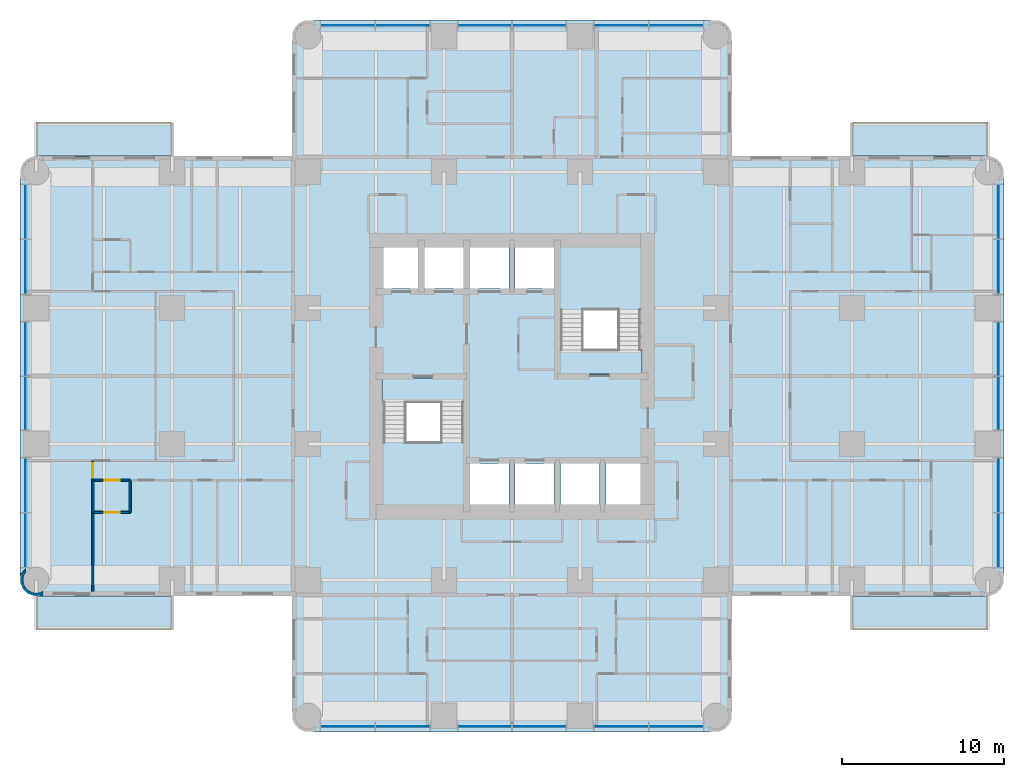
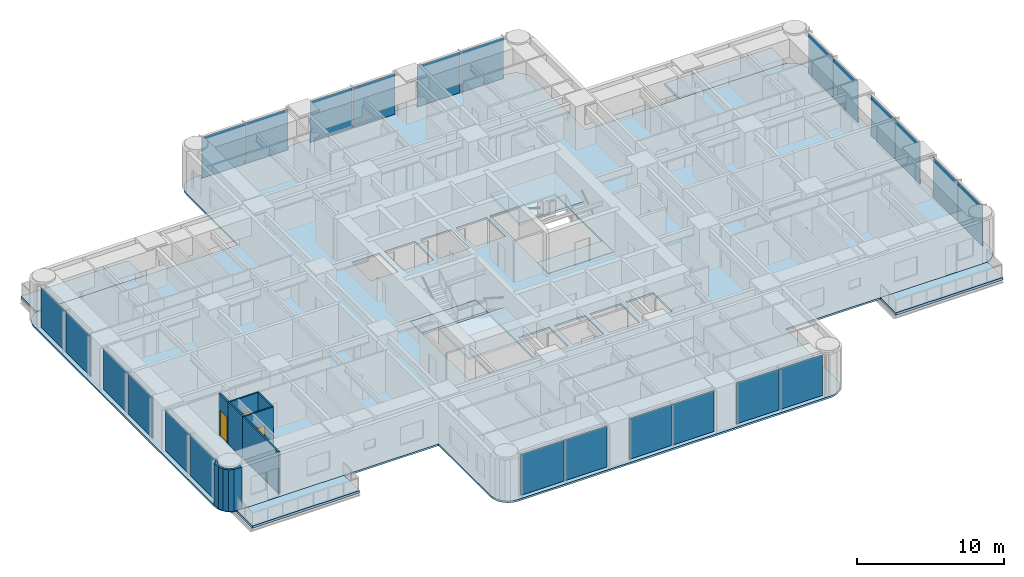
# One storey, part 5 of 15: 24 plates, 9 slabs, 7 walls, 3 doors, 3 openings, 6 elements without a shape of their own.
"""IFC4 building model written with IfcOpenShell, lengths in metres."""

from ifc_helpers import new_model, si_unit, direction, frame, frame_2d, origin, origin_2d, place, context, subcontext, project, spatial, polyline, rectangle, outline, extrude, material, layer, layer_set, type_object, element, fill, aggregate, save


model = new_model("IFC4")

# Units and contexts
model_context = context("Model", 3, precision=1e-05, world=origin(), true_north=direction((0.0, 1.0)))
body_context = subcontext(model_context, "Body", "Model", "MODEL_VIEW")
ifc_project = project(units=[si_unit("LENGTHUNIT", "METRE"), si_unit("AREAUNIT", "SQUARE_METRE"), si_unit("VOLUMEUNIT", "CUBIC_METRE"), si_unit("PLANEANGLEUNIT", "RADIAN"), si_unit("MASSUNIT", "GRAM", prefix="KILO")], contexts=[model_context])

# Site, building, storey
site_placement = place(None, origin())
site = spatial("IfcSite", under=ifc_project, at=site_placement, CompositionType="ELEMENT")
building_placement = place(site_placement, origin())
building = spatial("IfcBuilding", under=site, at=building_placement, Name="Torre Alcanfor", CompositionType="ELEMENT")
storey_placement = place(building_placement, frame((0.0, 0.0, 144.89990234375)))
storey = spatial("IfcBuildingStorey", under=building, at=storey_placement, Name="L37", CompositionType="ELEMENT", Elevation=144.89990234375)

# Slabs
ifc_material_1 = material(Name="Concrete f'c 35 MPa", Category="concrete")
ifc_layer_1 = layer(ifc_material_1, 0.199951171875)
ifc_layer_set_1 = layer_set([ifc_layer_1], Name="Balcony slab 200")
slab_type_1 = type_object("IfcSlabType", Name="Balcony slab 200", PredefinedType="FLOOR", material=ifc_layer_set_1)
slab_1_placement = place(storey_placement, frame((0.0, 0.0, -0.199951171875)))
element("IfcSlab", 1, at=slab_1_placement, inside=storey, type_object=slab_type_1, Name="Balcony L37-E1", PredefinedType="FLOOR", context=body_context, shape_type="SweptSolid", body=[
    extrude(outline(polyline([(50.39990234375, 43.0), (58.800048828125, 43.0), (58.800048828125, 45.10009765625), (50.39990234375, 45.10009765625), (50.39990234375, 43.0)])), origin(), (0.0, 0.0, 1.0), 0.199951171875),
])
slab_2_placement = place(storey_placement, frame((0.0, 0.0, -0.199951171875)))
element("IfcSlab", 2, at=slab_2_placement, inside=storey, type_object=slab_type_1, Name="Balcony L37-E2", PredefinedType="FLOOR", context=body_context, shape_type="SweptSolid", body=[
    extrude(outline(polyline([(50.39990234375, 13.699951171875), (58.800048828125, 13.699951171875), (58.800048828125, 15.800048828125), (50.39990234375, 15.800048828125), (50.39990234375, 13.699951171875)])), origin(), (0.0, 0.0, 1.0), 0.199951171875),
])
slab_3_placement = place(storey_placement, frame((0.0, 0.0, -0.199951171875)))
element("IfcSlab", 3, at=slab_3_placement, inside=storey, type_object=slab_type_1, Name="Balcony L37-W1", PredefinedType="FLOOR", context=body_context, shape_type="SweptSolid", body=[
    extrude(outline(polyline([(8.39990234375, 15.800048828125), (0.0, 15.800048828125), (0.0, 13.699951171875), (8.39990234375, 13.699951171875), (8.39990234375, 15.800048828125)])), origin(), (0.0, 0.0, 1.0), 0.199951171875),
])
slab_4_placement = place(storey_placement, frame((0.0, 0.0, -0.199951171875)))
element("IfcSlab", 4, at=slab_4_placement, inside=storey, type_object=slab_type_1, Name="Balcony L37-W2", PredefinedType="FLOOR", context=body_context, shape_type="SweptSolid", body=[
    extrude(outline(polyline([(8.39990234375, 45.10009765625), (0.0, 45.10009765625), (0.0, 43.0), (8.39990234375, 43.0), (8.39990234375, 45.10009765625)])), origin(), (0.0, 0.0, 1.0), 0.199951171875),
])

# Curtain wall, plates
ifc_material_2 = material(Name="Aluminium and glass", Category="aluminium")
curtain_wall_type = type_object("IfcCurtainWallType", Name="CW-A unitised apartment glazing with vertical FIN", PredefinedType="NOTDEFINED", material=ifc_material_2)
curtain_wall_1_placement = place(storey_placement, origin())
curtain_wall_1 = element("IfcCurtainWall", 5, at=curtain_wall_1_placement, inside=storey, type_object=curtain_wall_type, Name="Curtain wall CW-A L37 2", PredefinedType="NOTDEFINED")
ifc_material_3 = material(Name="Glass", Category="glass")
ifc_layer_2 = layer(ifc_material_3, 0.028076171875)
ifc_layer_set_2 = layer_set([ifc_layer_2], Name="CW-A clear double glazed unit")
plate_type = type_object("IfcPlateType", Name="CW-A clear double glazed unit", PredefinedType="CURTAIN_PANEL", material=ifc_layer_set_2)
plate_1_placement = place(storey_placement, frame((-0.64990234375, 39.541259765625, 0.0), z_axis=(0.0, 0.0, 1.0), x_axis=(0.0, -1.0, 0.0)))
plate_1 = element("IfcPlate", 6, at=plate_1_placement, type_object=plate_type, Name="CW-A panel 1.1.1", PredefinedType="CURTAIN_PANEL", context=body_context, shape_type="SweptSolid", body=[
    extrude(rectangle(XDim=3.337646484375, YDim=0.028076171875, at=origin_2d()), origin(), (0.0, 0.0, 1.0), 3.385009765625),
])
plate_2_placement = place(storey_placement, frame((-0.64990234375, 36.138671875, 0.0), z_axis=(0.0, 0.0, 1.0), x_axis=(0.0, -1.0, 0.0)))
plate_2 = element("IfcPlate", 7, at=plate_2_placement, type_object=plate_type, Name="CW-A panel 1.2.1", PredefinedType="CURTAIN_PANEL", context=body_context, shape_type="SweptSolid", body=[
    extrude(rectangle(XDim=3.337646484375, YDim=0.028076171875, at=origin_2d()), origin(), (0.0, 0.0, 1.0), 3.385009765625),
])
plate_3_placement = place(storey_placement, frame((-0.64990234375, 31.081298828125, 0.0), z_axis=(0.0, 0.0, 1.0), x_axis=(0.0, -1.0, 0.0)))
plate_3 = element("IfcPlate", 8, at=plate_3_placement, type_object=plate_type, Name="CW-A panel 2.1.1", PredefinedType="CURTAIN_PANEL", context=body_context, shape_type="SweptSolid", body=[
    extrude(rectangle(XDim=3.297607421875, YDim=0.028076171875, at=origin_2d()), origin(), (0.0, 0.0, 1.0), 3.385009765625),
])
plate_4_placement = place(storey_placement, frame((-0.64990234375, 27.71875, 0.0), z_axis=(0.0, 0.0, 1.0), x_axis=(0.0, -1.0, 0.0)))
plate_4 = element("IfcPlate", 9, at=plate_4_placement, type_object=plate_type, Name="CW-A panel 2.2.1", PredefinedType="CURTAIN_PANEL", context=body_context, shape_type="SweptSolid", body=[
    extrude(rectangle(XDim=3.297607421875, YDim=0.028076171875, at=origin_2d()), origin(), (0.0, 0.0, 1.0), 3.385009765625),
])
plate_5_placement = place(storey_placement, frame((-0.64990234375, 22.6611328125, 0.0), z_axis=(0.0, 0.0, 1.0), x_axis=(0.0, -1.0, 0.0)))
plate_5 = element("IfcPlate", 10, at=plate_5_placement, type_object=plate_type, Name="CW-A panel 3.1.1", PredefinedType="CURTAIN_PANEL", context=body_context, shape_type="SweptSolid", body=[
    extrude(rectangle(XDim=3.337646484375, YDim=0.028076171875, at=origin_2d()), origin(), (0.0, 0.0, 1.0), 3.385009765625),
])
plate_6_placement = place(storey_placement, frame((-0.64990234375, 19.2587890625, 0.0), z_axis=(0.0, 0.0, 1.0), x_axis=(0.0, -1.0, 0.0)))
plate_6 = element("IfcPlate", 11, at=plate_6_placement, type_object=plate_type, Name="CW-A panel 3.2.1", PredefinedType="CURTAIN_PANEL", context=body_context, shape_type="SweptSolid", body=[
    extrude(rectangle(XDim=3.337646484375, YDim=0.028076171875, at=origin_2d()), origin(), (0.0, 0.0, 1.0), 3.385009765625),
])
aggregate(curtain_wall_1, [plate_1, plate_2, plate_3, plate_4, plate_5, plate_6])

curtain_wall_2_placement = place(storey_placement, origin())
curtain_wall_2 = element("IfcCurtainWall", 12, at=curtain_wall_2_placement, inside=storey, type_object=curtain_wall_type, Name="Curtain wall CW-A L37 5", PredefinedType="NOTDEFINED")
plate_7_placement = place(storey_placement, frame((19.2587890625, 7.75, 0.0), z_axis=(0.0, 0.0, 1.0), x_axis=(1.0, 0.0, 0.0)))
plate_7 = element("IfcPlate", 13, at=plate_7_placement, type_object=plate_type, Name="CW-A panel 1.1.1", PredefinedType="CURTAIN_PANEL", context=body_context, shape_type="SweptSolid", body=[
    extrude(rectangle(XDim=3.337646484375, YDim=0.028076171875, at=origin_2d()), origin(), (0.0, 0.0, 1.0), 3.385009765625),
])
plate_8_placement = place(storey_placement, frame((22.6611328125, 7.75, 0.0), z_axis=(0.0, 0.0, 1.0), x_axis=(1.0, 0.0, 0.0)))
plate_8 = element("IfcPlate", 14, at=plate_8_placement, type_object=plate_type, Name="CW-A panel 1.2.1", PredefinedType="CURTAIN_PANEL", context=body_context, shape_type="SweptSolid", body=[
    extrude(rectangle(XDim=3.337646484375, YDim=0.028076171875, at=origin_2d()), origin(), (0.0, 0.0, 1.0), 3.385009765625),
])
plate_9_placement = place(storey_placement, frame((27.71875, 7.75, 0.0), z_axis=(0.0, 0.0, 1.0), x_axis=(1.0, 0.0, 0.0)))
plate_9 = element("IfcPlate", 15, at=plate_9_placement, type_object=plate_type, Name="CW-A panel 2.1.1", PredefinedType="CURTAIN_PANEL", context=body_context, shape_type="SweptSolid", body=[
    extrude(rectangle(XDim=3.297607421875, YDim=0.028076171875, at=origin_2d()), origin(), (0.0, 0.0, 1.0), 3.385009765625),
])
plate_10_placement = place(storey_placement, frame((31.081298828125, 7.75, 0.0), z_axis=(0.0, 0.0, 1.0), x_axis=(1.0, 0.0, 0.0)))
plate_10 = element("IfcPlate", 16, at=plate_10_placement, type_object=plate_type, Name="CW-A panel 2.2.1", PredefinedType="CURTAIN_PANEL", context=body_context, shape_type="SweptSolid", body=[
    extrude(rectangle(XDim=3.297607421875, YDim=0.028076171875, at=origin_2d()), origin(), (0.0, 0.0, 1.0), 3.385009765625),
])
plate_11_placement = place(storey_placement, frame((36.138671875, 7.75, 0.0), z_axis=(0.0, 0.0, 1.0), x_axis=(1.0, 0.0, 0.0)))
plate_11 = element("IfcPlate", 17, at=plate_11_placement, type_object=plate_type, Name="CW-A panel 3.1.1", PredefinedType="CURTAIN_PANEL", context=body_context, shape_type="SweptSolid", body=[
    extrude(rectangle(XDim=3.337646484375, YDim=0.028076171875, at=origin_2d()), origin(), (0.0, 0.0, 1.0), 3.385009765625),
])
plate_12_placement = place(storey_placement, frame((39.541259765625, 7.75, 0.0), z_axis=(0.0, 0.0, 1.0), x_axis=(1.0, 0.0, 0.0)))
plate_12 = element("IfcPlate", 18, at=plate_12_placement, type_object=plate_type, Name="CW-A panel 3.2.1", PredefinedType="CURTAIN_PANEL", context=body_context, shape_type="SweptSolid", body=[
    extrude(rectangle(XDim=3.337646484375, YDim=0.028076171875, at=origin_2d()), origin(), (0.0, 0.0, 1.0), 3.385009765625),
])
aggregate(curtain_wall_2, [plate_7, plate_8, plate_9, plate_10, plate_11, plate_12])

curtain_wall_3_placement = place(storey_placement, origin())
curtain_wall_3 = element("IfcCurtainWall", 19, at=curtain_wall_3_placement, inside=storey, type_object=curtain_wall_type, Name="Curtain wall CW-A L37 8", PredefinedType="NOTDEFINED")
plate_13_placement = place(storey_placement, frame((59.449951171875, 19.2587890625, 0.0), z_axis=(0.0, 0.0, 1.0), x_axis=(0.0, 1.0, 0.0)))
plate_13 = element("IfcPlate", 20, at=plate_13_placement, type_object=plate_type, Name="CW-A panel 1.1.1", PredefinedType="CURTAIN_PANEL", context=body_context, shape_type="SweptSolid", body=[
    extrude(rectangle(XDim=3.337646484375, YDim=0.028076171875, at=origin_2d()), origin(), (0.0, 0.0, 1.0), 3.385009765625),
])
plate_14_placement = place(storey_placement, frame((59.449951171875, 22.6611328125, 0.0), z_axis=(0.0, 0.0, 1.0), x_axis=(0.0, 1.0, 0.0)))
plate_14 = element("IfcPlate", 21, at=plate_14_placement, type_object=plate_type, Name="CW-A panel 1.2.1", PredefinedType="CURTAIN_PANEL", context=body_context, shape_type="SweptSolid", body=[
    extrude(rectangle(XDim=3.337646484375, YDim=0.028076171875, at=origin_2d()), origin(), (0.0, 0.0, 1.0), 3.385009765625),
])
plate_15_placement = place(storey_placement, frame((59.449951171875, 27.71875, 0.0), z_axis=(0.0, 0.0, 1.0), x_axis=(0.0, 1.0, 0.0)))
plate_15 = element("IfcPlate", 22, at=plate_15_placement, type_object=plate_type, Name="CW-A panel 2.1.1", PredefinedType="CURTAIN_PANEL", context=body_context, shape_type="SweptSolid", body=[
    extrude(rectangle(XDim=3.297607421875, YDim=0.028076171875, at=origin_2d()), origin(), (0.0, 0.0, 1.0), 3.385009765625),
])
plate_16_placement = place(storey_placement, frame((59.449951171875, 31.081298828125, 0.0), z_axis=(0.0, 0.0, 1.0), x_axis=(0.0, 1.0, 0.0)))
plate_16 = element("IfcPlate", 23, at=plate_16_placement, type_object=plate_type, Name="CW-A panel 2.2.1", PredefinedType="CURTAIN_PANEL", context=body_context, shape_type="SweptSolid", body=[
    extrude(rectangle(XDim=3.297607421875, YDim=0.028076171875, at=origin_2d()), origin(), (0.0, 0.0, 1.0), 3.385009765625),
])
plate_17_placement = place(storey_placement, frame((59.449951171875, 36.138671875, 0.0), z_axis=(0.0, 0.0, 1.0), x_axis=(0.0, 1.0, 0.0)))
plate_17 = element("IfcPlate", 24, at=plate_17_placement, type_object=plate_type, Name="CW-A panel 3.1.1", PredefinedType="CURTAIN_PANEL", context=body_context, shape_type="SweptSolid", body=[
    extrude(rectangle(XDim=3.337646484375, YDim=0.028076171875, at=origin_2d()), origin(), (0.0, 0.0, 1.0), 3.385009765625),
])
plate_18_placement = place(storey_placement, frame((59.449951171875, 39.541259765625, 0.0), z_axis=(0.0, 0.0, 1.0), x_axis=(0.0, 1.0, 0.0)))
plate_18 = element("IfcPlate", 25, at=plate_18_placement, type_object=plate_type, Name="CW-A panel 3.2.1", PredefinedType="CURTAIN_PANEL", context=body_context, shape_type="SweptSolid", body=[
    extrude(rectangle(XDim=3.337646484375, YDim=0.028076171875, at=origin_2d()), origin(), (0.0, 0.0, 1.0), 3.385009765625),
])
aggregate(curtain_wall_3, [plate_13, plate_14, plate_15, plate_16, plate_17, plate_18])

curtain_wall_4_placement = place(storey_placement, origin())
curtain_wall_4 = element("IfcCurtainWall", 26, at=curtain_wall_4_placement, inside=storey, type_object=curtain_wall_type, Name="Curtain wall CW-A L37 11", PredefinedType="NOTDEFINED")
plate_19_placement = place(storey_placement, frame((39.541259765625, 51.050048828125, 0.0), z_axis=(0.0, 0.0, 1.0), x_axis=(-1.0, 0.0, 0.0)))
plate_19 = element("IfcPlate", 27, at=plate_19_placement, type_object=plate_type, Name="CW-A panel 1.1.1", PredefinedType="CURTAIN_PANEL", context=body_context, shape_type="SweptSolid", body=[
    extrude(rectangle(XDim=3.337646484375, YDim=0.028076171875, at=origin_2d()), origin(), (0.0, 0.0, 1.0), 3.385009765625),
])
plate_20_placement = place(storey_placement, frame((36.138671875, 51.050048828125, 0.0), z_axis=(0.0, 0.0, 1.0), x_axis=(-1.0, 0.0, 0.0)))
plate_20 = element("IfcPlate", 28, at=plate_20_placement, type_object=plate_type, Name="CW-A panel 1.2.1", PredefinedType="CURTAIN_PANEL", context=body_context, shape_type="SweptSolid", body=[
    extrude(rectangle(XDim=3.337646484375, YDim=0.028076171875, at=origin_2d()), origin(), (0.0, 0.0, 1.0), 3.385009765625),
])
plate_21_placement = place(storey_placement, frame((31.081298828125, 51.050048828125, 0.0), z_axis=(0.0, 0.0, 1.0), x_axis=(-1.0, 0.0, 0.0)))
plate_21 = element("IfcPlate", 29, at=plate_21_placement, type_object=plate_type, Name="CW-A panel 2.1.1", PredefinedType="CURTAIN_PANEL", context=body_context, shape_type="SweptSolid", body=[
    extrude(rectangle(XDim=3.297607421875, YDim=0.028076171875, at=origin_2d()), origin(), (0.0, 0.0, 1.0), 3.385009765625),
])
plate_22_placement = place(storey_placement, frame((27.71875, 51.050048828125, 0.0), z_axis=(0.0, 0.0, 1.0), x_axis=(-1.0, 0.0, 0.0)))
plate_22 = element("IfcPlate", 30, at=plate_22_placement, type_object=plate_type, Name="CW-A panel 2.2.1", PredefinedType="CURTAIN_PANEL", context=body_context, shape_type="SweptSolid", body=[
    extrude(rectangle(XDim=3.297607421875, YDim=0.028076171875, at=origin_2d()), origin(), (0.0, 0.0, 1.0), 3.385009765625),
])
plate_23_placement = place(storey_placement, frame((22.6611328125, 51.050048828125, 0.0), z_axis=(0.0, 0.0, 1.0), x_axis=(-1.0, 0.0, 0.0)))
plate_23 = element("IfcPlate", 31, at=plate_23_placement, type_object=plate_type, Name="CW-A panel 3.1.1", PredefinedType="CURTAIN_PANEL", context=body_context, shape_type="SweptSolid", body=[
    extrude(rectangle(XDim=3.337646484375, YDim=0.028076171875, at=origin_2d()), origin(), (0.0, 0.0, 1.0), 3.385009765625),
])
plate_24_placement = place(storey_placement, frame((19.2587890625, 51.050048828125, 0.0), z_axis=(0.0, 0.0, 1.0), x_axis=(-1.0, 0.0, 0.0)))
plate_24 = element("IfcPlate", 32, at=plate_24_placement, type_object=plate_type, Name="CW-A panel 3.2.1", PredefinedType="CURTAIN_PANEL", context=body_context, shape_type="SweptSolid", body=[
    extrude(rectangle(XDim=3.337646484375, YDim=0.028076171875, at=origin_2d()), origin(), (0.0, 0.0, 1.0), 3.385009765625),
])
aggregate(curtain_wall_4, [plate_19, plate_20, plate_21, plate_22, plate_23, plate_24])

# Slab
ifc_material_4 = material(Name="Concrete f'c 35 MPa", Category="concrete")
ifc_layer_3 = layer(ifc_material_4, 0.14990234375)
ifc_layer_set_3 = layer_set([ifc_layer_3], Name="Composite floor 150 on metal deck")
slab_type_2 = type_object("IfcSlabType", Name="Composite floor 150 on metal deck", PredefinedType="FLOOR", material=ifc_layer_set_3)
slab_5_placement = place(storey_placement, frame((0.0, 0.0, -0.14990234375)))
element("IfcSlab", 33, at=slab_5_placement, inside=storey, type_object=slab_type_2, Name="Floor slab L37", PredefinedType="FLOOR", context=body_context, shape_type="SweptSolid", body=[
    extrude(outline(polyline([(15.800048828125, 43.0), (0.39990234375, 43.0), (0.03759765625, 42.952392578125), (-0.300048828125, 42.8125), (-0.58984375, 42.58984375), (-0.8125, 42.300048828125), (-0.952392578125, 41.96240234375), (-1.0, 41.60009765625), (-1.0, 17.199951171875), (-0.952392578125, 16.837646484375), (-0.8125, 16.5), (-0.58984375, 16.210205078125), (-0.300048828125, 15.987548828125), (0.03759765625, 15.84765625), (0.39990234375, 15.800048828125), (15.800048828125, 15.800048828125), (15.800048828125, 8.800048828125), (15.84765625, 8.437744140625), (15.987548828125, 8.10009765625), (16.210205078125, 7.81005859375), (16.5, 7.587646484375), (16.837646484375, 7.44775390625), (17.199951171875, 7.39990234375), (41.60009765625, 7.39990234375), (41.96240234375, 7.44775390625), (42.300048828125, 7.587646484375), (42.58984375, 7.81005859375), (42.8125, 8.10009765625), (42.952392578125, 8.437744140625), (43.0, 8.800048828125), (43.0, 15.800048828125), (58.39990234375, 15.800048828125), (58.76220703125, 15.84765625), (59.10009765625, 15.987548828125), (59.389892578125, 16.210205078125), (59.6123046875, 16.5), (59.752197265625, 16.837646484375), (59.800048828125, 17.199951171875), (59.800048828125, 41.60009765625), (59.752197265625, 41.96240234375), (59.6123046875, 42.300048828125), (59.389892578125, 42.58984375), (59.10009765625, 42.8125), (58.76220703125, 42.952392578125), (58.39990234375, 43.0), (43.0, 43.0), (43.0, 50.0), (42.952392578125, 50.3623046875), (42.8125, 50.699951171875), (42.58984375, 50.989990234375), (42.300048828125, 51.21240234375), (41.96240234375, 51.352294921875), (41.60009765625, 51.39990234375), (17.199951171875, 51.39990234375), (16.837646484375, 51.352294921875), (16.5, 51.21240234375), (16.210205078125, 50.989990234375), (15.987548828125, 50.699951171875), (15.84765625, 50.3623046875), (15.800048828125, 50.0), (15.800048828125, 43.0)]), holes=[polyline([(21.3701171875, 21.3701171875), (26.47998046875, 21.3701171875), (26.47998046875, 29.280029296875), (21.3701171875, 29.280029296875), (21.3701171875, 21.3701171875)]), polyline([(32.320068359375, 29.52001953125), (37.429931640625, 29.52001953125), (37.429931640625, 37.429931640625), (32.320068359375, 37.429931640625), (32.320068359375, 29.52001953125)]), polyline([(26.800048828125, 21.449951171875), (29.199951171875, 21.449951171875), (29.199951171875, 24.0), (26.800048828125, 24.0), (26.800048828125, 21.449951171875)]), polyline([(29.60009765625, 21.449951171875), (32.0, 21.449951171875), (32.0, 24.0), (29.60009765625, 24.0), (29.60009765625, 21.449951171875)]), polyline([(32.39990234375, 21.449951171875), (34.800048828125, 21.449951171875), (34.800048828125, 24.0), (32.39990234375, 24.0), (32.39990234375, 21.449951171875)]), polyline([(35.199951171875, 21.449951171875), (37.35009765625, 21.449951171875), (37.35009765625, 24.0), (35.199951171875, 24.0), (35.199951171875, 21.449951171875)]), polyline([(21.449951171875, 34.800048828125), (23.60009765625, 34.800048828125), (23.60009765625, 37.35009765625), (21.449951171875, 37.35009765625), (21.449951171875, 34.800048828125)]), polyline([(24.0, 34.800048828125), (26.39990234375, 34.800048828125), (26.39990234375, 37.35009765625), (24.0, 37.35009765625), (24.0, 34.800048828125)]), polyline([(26.800048828125, 34.800048828125), (29.199951171875, 34.800048828125), (29.199951171875, 37.35009765625), (26.800048828125, 37.35009765625), (26.800048828125, 34.800048828125)]), polyline([(29.60009765625, 34.800048828125), (32.0, 34.800048828125), (32.0, 37.35009765625), (29.60009765625, 37.35009765625), (29.60009765625, 34.800048828125)])]), origin(), (0.0, 0.0, 1.0), 0.14990234375),
])

# Stair, slabs
ifc_material_5 = material(Name="Concrete f'c 35 MPa", Category="concrete")
stair_type_1 = type_object("IfcStairType", Name="Exit stair S1 1400 wide", PredefinedType="HALF_TURN_STAIR", material=ifc_material_5)
stair_1_placement = place(storey_placement, origin())
stair_1 = element("IfcStair", 34, at=stair_1_placement, inside=storey, type_object=stair_type_1, Name="Stair S1 L37 to L38", PredefinedType="HALF_TURN_STAIR")
ifc_material_6 = material(Name="Concrete f'c 35 MPa", Category="concrete")
ifc_layer_4 = layer(ifc_material_6, 0.199951171875)
ifc_layer_set_4 = layer_set([ifc_layer_4], Name="Stair landing 200")
slab_type_3 = type_object("IfcSlabType", Name="Stair landing 200", PredefinedType="LANDING", material=ifc_layer_set_4)
slab_6_placement = place(storey_placement, frame((0.0, 0.0, -0.199951171875)))
slab_6 = element("IfcSlab", 35, at=slab_6_placement, type_object=slab_type_3, Name="S1 landing 1", PredefinedType="LANDING", context=body_context, shape_type="SweptSolid", body=[
    extrude(outline(polyline([(21.3701171875, 27.75), (26.47998046875, 27.75), (26.47998046875, 29.280029296875), (21.3701171875, 29.280029296875), (21.3701171875, 27.75)])), origin(), (0.0, 0.0, 1.0), 0.199951171875),
])
slab_7_placement = place(storey_placement, frame((0.0, 0.0, 1.60009765625)))
slab_7 = element("IfcSlab", 36, at=slab_7_placement, type_object=slab_type_3, Name="S1 landing 2", PredefinedType="LANDING", context=body_context, shape_type="SweptSolid", body=[
    extrude(outline(polyline([(21.3701171875, 21.3701171875), (26.47998046875, 21.3701171875), (26.47998046875, 25.330078125), (21.3701171875, 25.330078125), (21.3701171875, 21.3701171875)])), origin(), (0.0, 0.0, 1.0), 0.199951171875),
])
aggregate(stair_1, [slab_6, slab_7])

ifc_material_7 = material(Name="Concrete f'c 35 MPa", Category="concrete")
stair_type_2 = type_object("IfcStairType", Name="Exit stair S2 1400 wide", PredefinedType="HALF_TURN_STAIR", material=ifc_material_7)
stair_2_placement = place(storey_placement, origin())
stair_2 = element("IfcStair", 37, at=stair_2_placement, inside=storey, type_object=stair_type_2, Name="Stair S2 L37 to L38", PredefinedType="HALF_TURN_STAIR")
slab_8_placement = place(storey_placement, frame((0.0, 0.0, -0.199951171875)))
slab_8 = element("IfcSlab", 38, at=slab_8_placement, type_object=slab_type_3, Name="S2 landing 1", PredefinedType="LANDING", context=body_context, shape_type="SweptSolid", body=[
    extrude(outline(polyline([(32.320068359375, 29.52001953125), (37.429931640625, 29.52001953125), (37.429931640625, 31.050048828125), (32.320068359375, 31.050048828125), (32.320068359375, 29.52001953125)])), origin(), (0.0, 0.0, 1.0), 0.199951171875),
])
slab_9_placement = place(storey_placement, frame((0.0, 0.0, 1.60009765625)))
slab_9 = element("IfcSlab", 39, at=slab_9_placement, type_object=slab_type_3, Name="S2 landing 2", PredefinedType="LANDING", context=body_context, shape_type="SweptSolid", body=[
    extrude(outline(polyline([(32.320068359375, 33.469970703125), (37.429931640625, 33.469970703125), (37.429931640625, 37.429931640625), (32.320068359375, 37.429931640625), (32.320068359375, 33.469970703125)])), origin(), (0.0, 0.0, 1.0), 0.199951171875),
])
aggregate(stair_2, [slab_8, slab_9])

# Wall, opening, door
ifc_material_8 = material(Name="Gypsum board on steel studs", Category="steel")
ifc_layer_5 = layer(ifc_material_8, 0.1201171875)
ifc_layer_set_5 = layer_set([ifc_layer_5], Name="Apartment partition 120")
wall_type_1 = type_object("IfcWallType", Name="Apartment partition 120", PredefinedType="PARTITIONING", material=ifc_layer_set_5)
wall_1_placement = place(storey_placement, frame((3.5, 22.970947265625, 0.0), z_axis=(0.0, 0.0, 1.0), x_axis=(1.0, 0.0, 0.0)))
wall_1 = element("IfcWall", 40, at=wall_1_placement, inside=storey, type_object=wall_type_1, Name="Partition L37-W1-HALL / L37-W1-VEST", PredefinedType="PARTITIONING", context=body_context, shape_type="SweptSolid", body=[
    extrude(rectangle(XDim=2.300048828125, YDim=0.1201171875, at=frame_2d((1.14990234375, 0.0))), origin(), (0.0, 0.0, 1.0), 3.4501953125),
])
opening_1_placement = place(wall_1_placement, frame((0.75, 0.0, 0.0)))
opening_1 = element("IfcOpeningElement", 41, at=opening_1_placement, cuts=wall_1, Name="Opening D-R1", PredefinedType="OPENING", context=body_context, shape_type="SweptSolid", body=[
    extrude(rectangle(XDim=0.89990234375, YDim=2.10009765625, at=frame_2d((0.449951171875, 1.050048828125))), frame((0.0, 0.070068359375, 0.0), z_axis=(0.0, -1.0, 0.0), x_axis=(1.0, 0.0, 0.0)), (0.0, 0.0, 1.0), 0.14013671875),
])
ifc_material_9 = material(Name="Timber", Category="wood")
door_type = type_object("IfcDoorType", Name="Internal door 900x2100", OperationType="SINGLE_SWING_LEFT", PredefinedType="DOOR", material=ifc_material_9)
door_1_placement = place(opening_1_placement, frame((0.89990234375, 0.0, 0.0), z_axis=(0.0, 0.0, 1.0), x_axis=(-1.0, 0.0, 0.0)))
door_1 = element("IfcDoor", 42, at=door_1_placement, inside=storey, type_object=door_type, Name="Door L37-W1 vest", OperationType="SINGLE_SWING_LEFT", OverallHeight=2.10009765625, OverallWidth=0.89990234375, PredefinedType="DOOR", context=body_context, shape_type="SweptSolid", body=[
    extrude(rectangle(XDim=0.89990234375, YDim=2.10009765625, at=frame_2d((0.449951171875, 1.050048828125))), frame((0.0, 0.025146484375, 0.0), z_axis=(0.0, -1.0, 0.0), x_axis=(1.0, 0.0, 0.0)), (0.0, 0.0, 1.0), 0.050048828125),
])
fill(opening_1, door_1)

wall_2_placement = place(storey_placement, frame((3.5, 24.1708984375, 0.0), z_axis=(0.0, 0.0, 1.0), x_axis=(0.0, -1.0, 0.0)))
wall_2 = element("IfcWall", 43, at=wall_2_placement, inside=storey, type_object=wall_type_1, Name="Partition L37-W1-HALL / L37-W1-WGARD", PredefinedType="PARTITIONING", context=body_context, shape_type="SweptSolid", body=[
    extrude(rectangle(XDim=1.199951171875, YDim=0.1201171875, at=frame_2d((0.60009765625, 0.0))), origin(), (0.0, 0.0, 1.0), 3.4501953125),
])
opening_2_placement = place(wall_2_placement, frame((0.15087890625, 0.0, 0.0)))
opening_2 = element("IfcOpeningElement", 44, at=opening_2_placement, cuts=wall_2, Name="Opening D-R1", PredefinedType="OPENING", context=body_context, shape_type="SweptSolid", body=[
    extrude(rectangle(XDim=0.89990234375, YDim=2.10009765625, at=frame_2d((0.449951171875, 1.050048828125))), frame((0.0, 0.070068359375, 0.0), z_axis=(0.0, -1.0, 0.0), x_axis=(1.0, 0.0, 0.0)), (0.0, 0.0, 1.0), 0.14013671875),
])
door_2_placement = place(opening_2_placement, frame((0.89990234375, 0.0, 0.0), z_axis=(0.0, 0.0, 1.0), x_axis=(-1.0, 0.0, 0.0)))
door_2 = element("IfcDoor", 45, at=door_2_placement, inside=storey, type_object=door_type, Name="Door L37-W1 wgard", OperationType="SINGLE_SWING_RIGHT", OverallHeight=2.10009765625, OverallWidth=0.89990234375, PredefinedType="DOOR", context=body_context, shape_type="SweptSolid", body=[
    extrude(rectangle(XDim=0.89990234375, YDim=2.10009765625, at=frame_2d((0.449951171875, 1.050048828125))), frame((0.0, 0.025146484375, 0.0), z_axis=(0.0, -1.0, 0.0), x_axis=(1.0, 0.0, 0.0)), (0.0, 0.0, 1.0), 0.050048828125),
])
fill(opening_2, door_2)

wall_3_placement = place(storey_placement, frame((3.5, 20.970947265625, 0.0), z_axis=(0.0, 0.0, 1.0), x_axis=(1.0, 0.0, 0.0)))
wall_3 = element("IfcWall", 46, at=wall_3_placement, inside=storey, type_object=wall_type_1, Name="Partition L37-W1-MASTER / L37-W1-VEST", PredefinedType="PARTITIONING", context=body_context, shape_type="SweptSolid", body=[
    extrude(rectangle(XDim=2.300048828125, YDim=0.1201171875, at=frame_2d((1.14990234375, 0.0))), origin(), (0.0, 0.0, 1.0), 3.4501953125),
])
opening_3_placement = place(wall_3_placement, frame((0.75, 0.0, 0.0)))
opening_3 = element("IfcOpeningElement", 47, at=opening_3_placement, cuts=wall_3, Name="Opening D-R1", PredefinedType="OPENING", context=body_context, shape_type="SweptSolid", body=[
    extrude(rectangle(XDim=0.89990234375, YDim=2.10009765625, at=frame_2d((0.449951171875, 1.050048828125))), frame((0.0, 0.070068359375, 0.0), z_axis=(0.0, -1.0, 0.0), x_axis=(1.0, 0.0, 0.0)), (0.0, 0.0, 1.0), 0.14013671875),
])
door_3_placement = place(opening_3_placement, origin())
door_3 = element("IfcDoor", 48, at=door_3_placement, inside=storey, type_object=door_type, Name="Door L37-W1 master", OperationType="SINGLE_SWING_RIGHT", OverallHeight=2.10009765625, OverallWidth=0.89990234375, PredefinedType="DOOR", context=body_context, shape_type="SweptSolid", body=[
    extrude(rectangle(XDim=0.89990234375, YDim=2.10009765625, at=frame_2d((0.449951171875, 1.050048828125))), frame((0.0, 0.02490234375, 0.0), z_axis=(0.0, -1.0, 0.0), x_axis=(1.0, 0.0, 0.0)), (0.0, 0.0, 1.0), 0.050048828125),
])
fill(opening_3, door_3)

# Walls
wall_4_placement = place(storey_placement, frame((5.800048828125, 20.970947265625, 0.0), z_axis=(0.0, 0.0, 1.0), x_axis=(0.0, 1.0, 0.0)))
element("IfcWall", 49, at=wall_4_placement, inside=storey, type_object=wall_type_1, Name="Partition L37-W1-MASTER / L37-W1-VEST", PredefinedType="PARTITIONING", context=body_context, shape_type="SweptSolid", body=[
    extrude(rectangle(XDim=2.0, YDim=0.1201171875, at=frame_2d((1.0, 0.0))), origin(), (0.0, 0.0, 1.0), 3.4501953125),
])
wall_5_placement = place(storey_placement, frame((3.5, 16.10009765625, 0.0), z_axis=(0.0, 0.0, 1.0), x_axis=(0.0, 1.0, 0.0)))
element("IfcWall", 50, at=wall_5_placement, inside=storey, type_object=wall_type_1, Name="Partition L37-W1-MASTER / L37-W1-WGARD", PredefinedType="PARTITIONING", context=body_context, shape_type="SweptSolid", body=[
    extrude(rectangle(XDim=4.870849609375, YDim=0.1201171875, at=frame_2d((2.435546875, 0.0))), origin(), (0.0, 0.0, 1.0), 3.4501953125),
])
wall_6_placement = place(storey_placement, frame((3.5, 22.970947265625, 0.0), z_axis=(0.0, 0.0, 1.0), x_axis=(0.0, -1.0, 0.0)))
element("IfcWall", 51, at=wall_6_placement, inside=storey, type_object=wall_type_1, Name="Partition L37-W1-VEST / L37-W1-WGARD", PredefinedType="PARTITIONING", context=body_context, shape_type="SweptSolid", body=[
    extrude(rectangle(XDim=2.0, YDim=0.1201171875, at=frame_2d((1.0, 0.0))), origin(), (0.0, 0.0, 1.0), 3.4501953125),
])
ifc_material_10 = material(Name="Limestone cladding", Category="masonry")
ifc_layer_6 = layer(ifc_material_10, 0.0400390625, Name="Facing")
ifc_material_11 = material(Name="Ventilated air cavity")
ifc_layer_7 = layer(ifc_material_11, 0.02001953125, ventilated=True, Name="Ventilated joint")
ifc_material_12 = material(Name="Mineral wool insulation", Category="insulation")
ifc_layer_8 = layer(ifc_material_12, 0.10009765625, Name="Insulation")
ifc_material_13 = material(Name="Concrete f'c 35 MPa", Category="concrete")
ifc_layer_9 = layer(ifc_material_13, 0.139892578125, Name="Backing")
ifc_layer_set_6 = layer_set([ifc_layer_6, ifc_layer_7, ifc_layer_8, ifc_layer_9], Name="Rounded corner pier stone-clad 300")
wall_type_2 = type_object("IfcWallType", Name="Rounded corner pier stone-clad 300", PredefinedType="SOLIDWALL", material=ifc_layer_set_6)
wall_7_placement = place(storey_placement, frame((-0.595317512, 17.448071802, 0.0), z_axis=(0.0, 0.0, 1.0), x_axis=(-0.93923434088, -0.343276641956, 0.0)))
element("IfcWall", 52, at=wall_7_placement, inside=storey, type_object=wall_type_2, Name="Corner pier L37 14", PredefinedType="SOLIDWALL", context=body_context, shape_type="SweptSolid", body=[
    extrude(outline(polyline([(-0.36901687290747565, 1.8895155017116005), (-0.5091640790076659, 1.6212761977701722), (-0.4905903530283585, 1.6144877680830545), (-0.47948243923657013, 1.6086084348003613), (-0.21122522327048593, 1.6199972505432854), (0.08778883447046232, 1.5107119133580826), (0.3225108976454373, 1.2952164137736593), (0.4570343816413681, 1.0061292766156664), (0.470385530542732, 0.6877670550734887), (0.36101638558361415, 0.38852369207353665), (0.14552088599919094, 0.15380162889856172), (0.10803112982284666, 0.13657123594691412), (0.030844170047101382, -0.07461890759558078), (0.24094301513563465, 0.023009904898978376), (0.3335722649355225, 0.12354205241220817), (0.46526570659148436, 0.09412537095504334), (0.5319165148651629, 0.3931255880778293), (0.6305582647631567, 0.6630178779252955), (0.6143066479271062, 1.0445648337608835), (0.4533864294189357, 1.390867848169107), (0.172157378959642, 1.6490946263605986), (-0.09750560562882049, 1.747652568484677), (-0.36901687290747565, 1.8895155017116005)])), origin(), (0.0, 0.0, 1.0), 3.4501953125),
])

save(model, "model.ifc")
